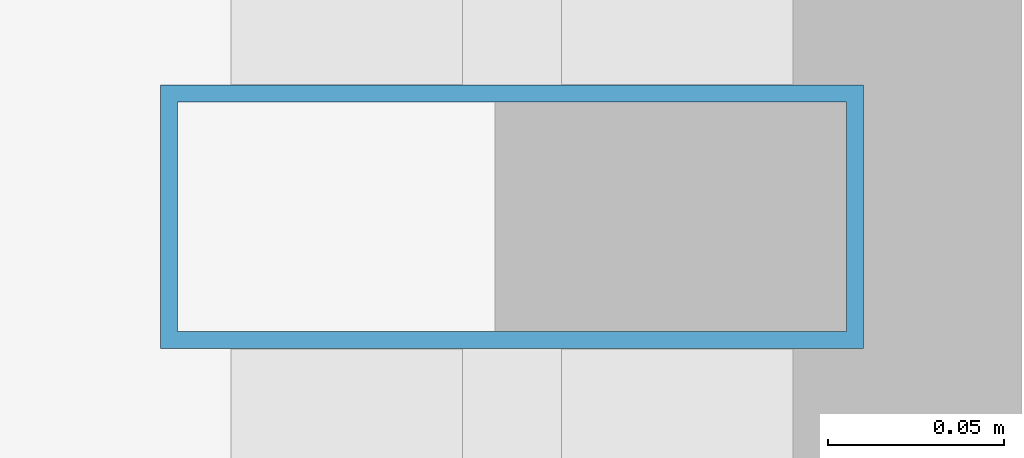
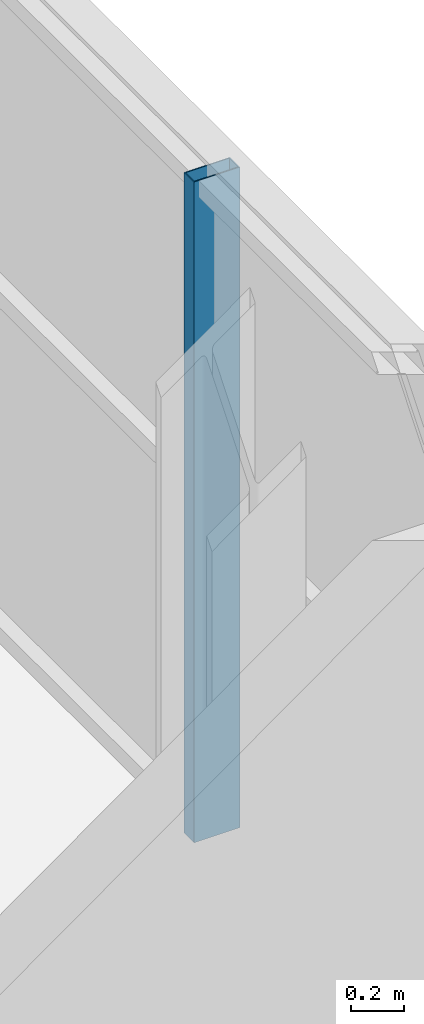
# One storey, part 15 of 31: 1 member, 1 element without a shape of its own.
"""IFC4 building model written with IfcOpenShell, lengths in metres."""

from ifc_helpers import new_model, si_unit, direction, frame, origin, origin_2d, place, context, subcontext, project, spatial, hollow_rectangle, extrude, source, transform, mapped, material, layer, layer_set, material_profile, profile_set, type_object, element, aggregate, save


model = new_model("IFC4")

# Units and contexts
model_context = context("Model", 3, precision=1e-05, world=origin(), true_north=direction((0.0, 1.0)))
body_context = subcontext(model_context, "Body", "Model", "MODEL_VIEW")
ifc_project = project(units=[si_unit("LENGTHUNIT", "METRE"), si_unit("AREAUNIT", "SQUARE_METRE"), si_unit("VOLUMEUNIT", "CUBIC_METRE"), si_unit("PLANEANGLEUNIT", "RADIAN"), si_unit("MASSUNIT", "GRAM", prefix="KILO")], contexts=[model_context])

# Site, building, storey
site_placement = place(None, origin())
site = spatial("IfcSite", under=ifc_project, at=site_placement, CompositionType="ELEMENT")
building_placement = place(site_placement, origin())
building = spatial("IfcBuilding", under=site, at=building_placement, Name="Zarnakvel Exchange Tower", CompositionType="ELEMENT")
storey_placement = place(building_placement, frame((0.0, 0.0, 60.39990234375)))
storey = spatial("IfcBuildingStorey", under=building, at=storey_placement, Name="L16", CompositionType="ELEMENT", Elevation=60.39990234375)

# Curtain wall, member
ifc_material = material(Name="Architectural Bronze Anodised Aluminium", Category="aluminium")
ifc_layer = layer(ifc_material, 0.199951171875)
ifc_layer_set = layer_set([ifc_layer], Name="Architectural Bronze Anodised Aluminium")
curtain_wall_type = type_object("IfcCurtainWallType", Name="CW-04", PredefinedType="NOTDEFINED", material=ifc_layer_set)
curtain_wall_placement = place(storey_placement, origin())
curtain_wall = element("IfcCurtainWall", 1, at=curtain_wall_placement, inside=storey, type_object=curtain_wall_type, Name="L16 Curtain Wall CW-L16-E1 (CW-04)", PredefinedType="NOTDEFINED")
ifc_material_profile = material_profile(ifc_material, hollow_rectangle(XDim=0.199951171875, YDim=0.074951171875, WallThickness=0.0048828125, at=origin_2d()))
ifc_profile_set = profile_set([ifc_material_profile], Name="Architectural Bronze Anodised Aluminium")
member_type = type_object("IfcMemberType", Name="CWM-04", PredefinedType="MULLION", material=ifc_profile_set)
shared_shape = source(origin(), body_context, "Body", "SweptSolid", [
    extrude(hollow_rectangle(XDim=0.199951171875, YDim=0.074951171875, WallThickness=0.0048828125, at=origin_2d()), origin(), (0.0, 0.0, 1.0), 3.05517578125),
])
member_placement = place(storey_placement, frame((32.4599609375, 0.0, 0.0), z_axis=(0.0, 0.0, 1.0), x_axis=(-1.0, 0.0, 0.0)))
member = element("IfcMember", 2, at=member_placement, type_object=member_type, Name="CW-04 mullion 3", PredefinedType="MULLION", context=body_context, shape_type="MappedRepresentation", body=[
    mapped(shared_shape, transform((0.0, 0.0, 0.0), x_axis=(1.0, 0.0, 0.0), y_axis=(0.0, 1.0, 0.0), z_axis=(0.0, 0.0, 1.0), scale=1.0)),
])
aggregate(curtain_wall, [member])

save(model, "model.ifc")
